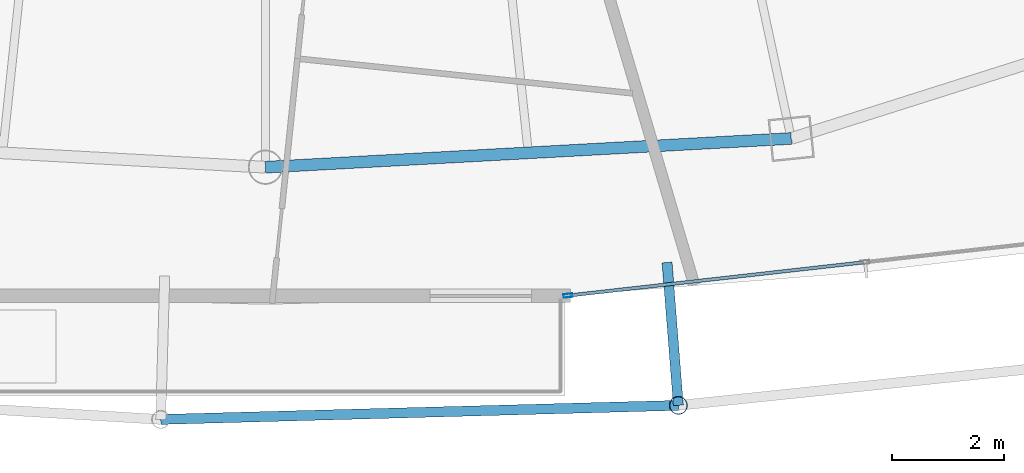
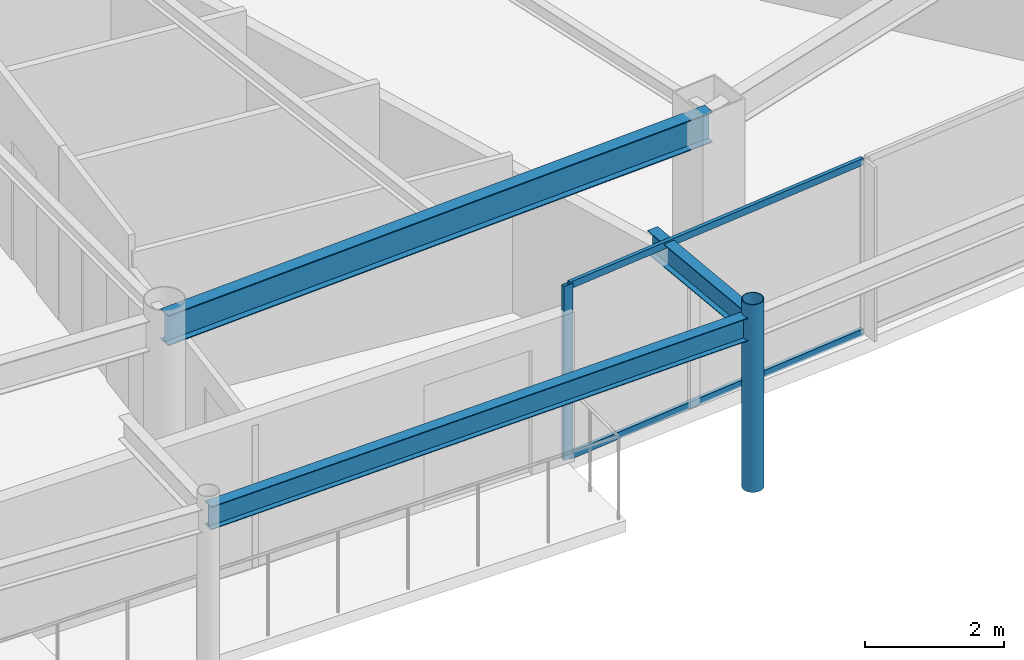
# One storey, part 9 of 33: 4 members, 3 beams, 1 element without a shape of its own.
"""IFC4 building model written with IfcOpenShell, lengths in metres."""

from ifc_helpers import new_model, si_unit, direction, frame, origin, origin_2d, place, context, subcontext, project, spatial, hollow_rectangle, hollow_circle, i_section, extrude, material, layer, layer_set, material_profile, profile_set, type_object, element, aggregate, save


model = new_model("IFC4")

# Units and contexts
model_context = context("Model", 3, precision=1e-05, world=origin(), true_north=direction((0.0, 1.0)))
body_context = subcontext(model_context, "Body", "Model", "MODEL_VIEW")
ifc_project = project(units=[si_unit("LENGTHUNIT", "METRE"), si_unit("AREAUNIT", "SQUARE_METRE"), si_unit("VOLUMEUNIT", "CUBIC_METRE"), si_unit("PLANEANGLEUNIT", "RADIAN"), si_unit("MASSUNIT", "GRAM", prefix="KILO")], contexts=[model_context])

# Site, building, storey
site_placement = place(None, origin())
site = spatial("IfcSite", under=ifc_project, at=site_placement, CompositionType="ELEMENT")
building_placement = place(site_placement, origin())
building = spatial("IfcBuilding", under=site, at=building_placement, Name="Orvanel Arch Residences", CompositionType="ELEMENT")
storey_placement = place(building_placement, frame((0.0, 0.0, 196.39990234375)))
storey = spatial("IfcBuildingStorey", under=building, at=storey_placement, Name="L55", CompositionType="ELEMENT", Elevation=196.39990234375)

# Curtain wall, member
ifc_material_1 = material(Name="Bronze-anodised aluminium AA6063-T6", Category="aluminium")
ifc_layer = layer(ifc_material_1, 0.175048828125)
ifc_layer_set = layer_set([ifc_layer], Name="Bronze-anodised aluminium AA6063-T6")
curtain_wall_type = type_object("IfcCurtainWallType", Name="CW4-HI-SYS", PredefinedType="NOTDEFINED", material=ifc_layer_set)
curtain_wall_placement = place(storey_placement, origin())
curtain_wall = element("IfcCurtainWall", 1, at=curtain_wall_placement, inside=storey, type_object=curtain_wall_type, Name="L55 CW4-HI-SYS Unitised Curtain Wall", PredefinedType="NOTDEFINED")
ifc_material_profile_1 = material_profile(ifc_material_1, hollow_rectangle(XDim=0.06494140625, YDim=0.159912109375, WallThickness=0.00390625, at=origin_2d()), Name="ALU160x65x4")
ifc_profile_set_1 = profile_set([ifc_material_profile_1], Name="Bronze-anodised aluminium AA6063-T6")
member_type_1 = type_object("IfcMemberType", Name="MUL-160x65", PredefinedType="MULLION", material=ifc_profile_set_1)
member_1_placement = place(storey_placement, frame((38.38134765625, 4.560546875, 0.0), z_axis=(0.0, 0.0, 1.0), x_axis=(-0.111799388547, 0.993730796907, 0.0)))
member_1 = element("IfcMember", 2, at=member_1_placement, type_object=member_type_1, Name="CW-S4 mullion 1", PredefinedType="MULLION", context=body_context, shape_type="SweptSolid", body=[
    extrude(hollow_rectangle(XDim=0.06494140625, YDim=0.159912109375, WallThickness=0.00390625, at=origin_2d()), origin(), (0.0, 0.0, 1.0), 3.06005859375),
])

# Beams
ifc_material_2 = material(Name="Structural steel AS/NZS 3679.1 Grade 300 (300 MPa)", Category="steel")
ifc_material_profile_2 = material_profile(ifc_material_2, i_section(OverallWidth=0.177978515625, OverallDepth=0.406005859375, WebThickness=0.0078125, FlangeThickness=0.0126953125, at=origin_2d()), Name="410UB59.7")
ifc_profile_set_2 = profile_set([ifc_material_profile_2], Name="Structural steel AS/NZS 3679.1 Grade 300 (300 MPa)")
beam_type_1 = type_object("IfcBeamType", Name="OB-410UB-EXT", PredefinedType="SPANDREL", material=ifc_profile_set_2)
beam_1_placement = place(storey_placement, frame((31.136962890625, 2.35791015625, 2.857177734375), z_axis=(0.999631556655, 0.027143156396, 0.0), x_axis=(-0.027143156396, 0.999631556655, 0.0)))
element("IfcBeam", 3, at=beam_1_placement, inside=storey, type_object=beam_type_1, Name="L55 Outer Perimeter Floor Ring Beam 06", PredefinedType="SPANDREL", context=body_context, shape_type="SweptSolid", body=[
    extrude(i_section(OverallWidth=0.177978515625, OverallDepth=0.406005859375, WebThickness=0.0078125, FlangeThickness=0.0126953125, at=origin_2d()), origin(), (0.0, 0.0, 1.0), 9.21044921875),
])
beam_2_placement = place(storey_placement, frame((40.14306640625, 5.14990234375, 2.857177734375), z_axis=(0.078797636407, -0.996890632164, 0.0), x_axis=(0.996890632164, 0.078797636407, 0.0)))
element("IfcBeam", 4, at=beam_2_placement, inside=storey, type_object=beam_type_1, Name="L55 Outer Frame Radial Tie Beam 07", PredefinedType="SPANDREL", context=body_context, shape_type="SweptSolid", body=[
    extrude(i_section(OverallWidth=0.177978515625, OverallDepth=0.406005859375, WebThickness=0.0078125, FlangeThickness=0.0126953125, at=origin_2d()), origin(), (0.0, 0.0, 1.0), 2.5498046875),
])
ifc_material_profile_3 = material_profile(ifc_material_2, i_section(OverallWidth=0.208984375, OverallDepth=0.532958984375, WebThickness=0.01025390625, FlangeThickness=0.015625, at=origin_2d()), Name="530UB92.4")
ifc_profile_set_3 = profile_set([ifc_material_profile_3], Name="Structural steel AS/NZS 3679.1 Grade 300 (300 MPa)")
beam_type_2 = type_object("IfcBeamType", Name="SP-530UB", PredefinedType="SPANDREL", material=ifc_profile_set_3)
beam_3_placement = place(storey_placement, frame((33.0, 6.843994140625, 2.794189453125), z_axis=(0.998510315598, 0.054563262768, 0.0), x_axis=(-0.054563262768, 0.998510315598, 0.0)))
element("IfcBeam", 5, at=beam_3_placement, inside=storey, type_object=beam_type_2, Name="L55 Perimeter Spandrel Beam 04", PredefinedType="SPANDREL", context=body_context, shape_type="SweptSolid", body=[
    extrude(i_section(OverallWidth=0.208984375, OverallDepth=0.532958984375, WebThickness=0.01025390625, FlangeThickness=0.015625, at=origin_2d()), origin(), (0.0, 0.0, 1.0), 9.364990234375),
])

# Member
ifc_material_3 = material(Name="Structural steel AS/NZS 1163 C350L0 (Grade 350)", Category="steel")
ifc_material_profile_4 = material_profile(ifc_material_3, hollow_circle(Radius=0.162109375, WallThickness=0.0126953125, at=origin_2d()), Name="CHS324x12.7")
ifc_profile_set_4 = profile_set([ifc_material_profile_4], Name="Structural steel AS/NZS 1163 C350L0 (Grade 350)")
member_type_2 = type_object("IfcMemberType", Name="ST-324CHS-EXT", PredefinedType="STRUT", material=ifc_profile_set_4)
member_2_placement = place(storey_placement, frame((40.343994140625, 2.60791015625, 0.0), z_axis=(0.0, 0.0, 1.0), x_axis=(1.0, 0.0, 0.0)))
element("IfcMember", 6, at=member_2_placement, inside=storey, type_object=member_type_2, Name="L55 Outer Perimeter Frame Post 07", PredefinedType="STRUT", context=body_context, shape_type="SweptSolid", body=[
    extrude(hollow_circle(Radius=0.162109375, WallThickness=0.0126953125, at=origin_2d()), origin(), (0.0, 0.0, 1.0), 3.300048828125),
])

ifc_material_profile_5 = material_profile(ifc_material_1, hollow_rectangle(XDim=0.06005859375, YDim=0.1201171875, WallThickness=0.00341796875, at=origin_2d()), Name="ALU120x60x3.5")
ifc_profile_set_5 = profile_set([ifc_material_profile_5], Name="Bronze-anodised aluminium AA6063-T6")
member_type_3 = type_object("IfcMemberType", Name="TRN-120x60", PredefinedType="USERDEFINED", material=ifc_profile_set_5)
member_3_placement = place(storey_placement, frame((38.41357421875, 4.564208984375, 0.030029296875), z_axis=(0.993729702059, 0.111809119694, 0.0), x_axis=(-0.111809119694, 0.993729702059, 0.0)))
member_3 = element("IfcMember", 7, at=member_3_placement, type_object=member_type_3, Name="CW-S4 transom 1.1", ObjectType="TRANSOM", PredefinedType="USERDEFINED", context=body_context, shape_type="SweptSolid", body=[
    extrude(hollow_rectangle(XDim=0.06005859375, YDim=0.1201171875, WallThickness=0.00341796875, at=origin_2d()), origin(), (0.0, 0.0, 1.0), 5.25146484375),
])

member_4_placement = place(storey_placement, frame((38.41357421875, 4.564208984375, 3.030029296875), z_axis=(0.993729702059, 0.111809119694, 0.0), x_axis=(-0.111809119694, 0.993729702059, 0.0)))
member_4 = element("IfcMember", 8, at=member_4_placement, type_object=member_type_3, Name="CW-S4 transom 1.2", ObjectType="TRANSOM", PredefinedType="USERDEFINED", context=body_context, shape_type="SweptSolid", body=[
    extrude(hollow_rectangle(XDim=0.06005859375, YDim=0.1201171875, WallThickness=0.00341796875, at=origin_2d()), origin(), (0.0, 0.0, 1.0), 5.25146484375),
])

aggregate(curtain_wall, [member_1, member_3, member_4])

save(model, "model.ifc")
